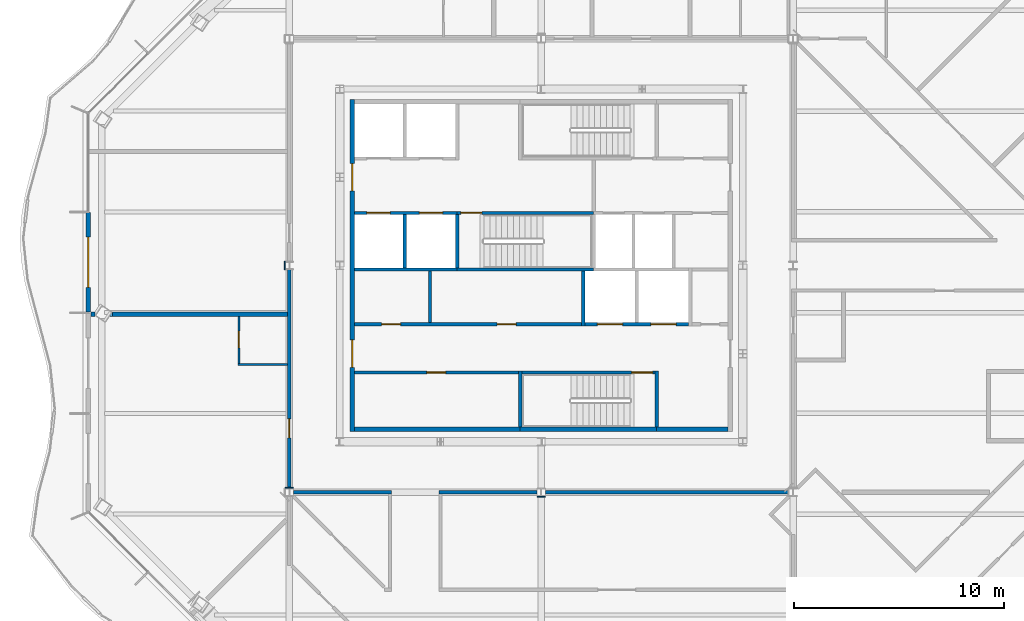
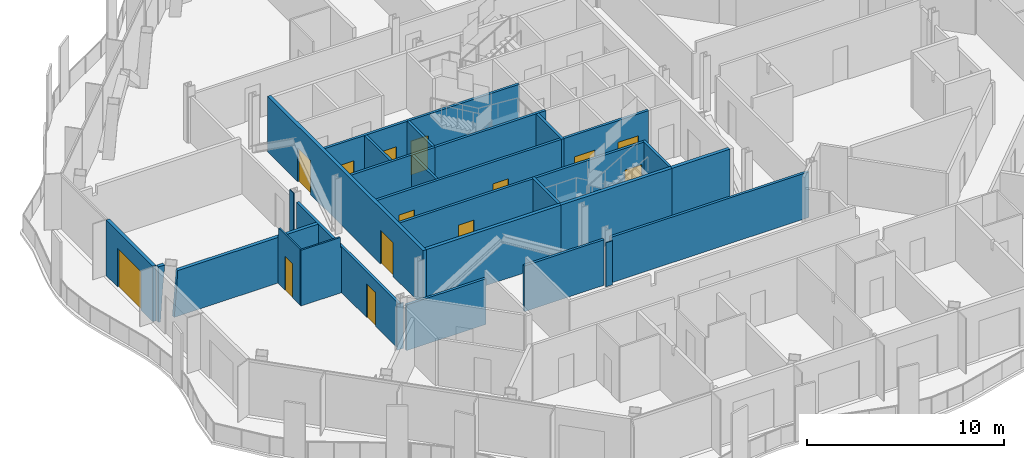
# One storey, part 8 of 19: 30 walls, 14 doors, 14 openings.
"""IFC4 building model written with IfcOpenShell, lengths in metres."""

from ifc_helpers import new_model, si_unit, direction, frame, frame_2d, origin, place, context, subcontext, project, spatial, polyline, rectangle, outline, extrude, material, layer, layer_set, type_object, element, fill, save


model = new_model("IFC4")

# Units and contexts
model_context = context("Model", 3, precision=1e-05, world=origin(), true_north=direction((0.0, 1.0)))
body_context = subcontext(model_context, "Body", "Model", "MODEL_VIEW")
ifc_project = project(units=[si_unit("LENGTHUNIT", "METRE"), si_unit("AREAUNIT", "SQUARE_METRE"), si_unit("VOLUMEUNIT", "CUBIC_METRE"), si_unit("PLANEANGLEUNIT", "RADIAN"), si_unit("MASSUNIT", "GRAM", prefix="KILO")], contexts=[model_context])

# Site, building, storey
site_placement = place(None, origin())
site = spatial("IfcSite", under=ifc_project, at=site_placement, CompositionType="ELEMENT")
building_placement = place(site_placement, origin())
building = spatial("IfcBuilding", under=site, at=building_placement, Name="Cairn Pilgrim Tower", CompositionType="ELEMENT")
storey_placement = place(building_placement, frame((0.0, 0.0, 197.39990234375)))
storey = spatial("IfcBuildingStorey", under=building, at=storey_placement, Name="L50", CompositionType="ELEMENT", Elevation=197.39990234375)

# Wall, opening, door
ifc_material_1 = material(Name="Bronze anodised aluminium insulated sandwich panel with mineral wool fill", Category="aluminium")
ifc_layer_1 = layer(ifc_material_1, 0.199951171875)
ifc_layer_set_1 = layer_set([ifc_layer_1], Name="BRONZE INFILL FRAME WALL 200")
wall_type_1 = type_object("IfcWallType", Name="BRONZE INFILL FRAME WALL 200", PredefinedType="NOTDEFINED", material=ifc_layer_set_1)
wall_1_placement = place(storey_placement, frame((-14.375, 4.919921875, 0.0), z_axis=(0.0, 0.0, 1.0), x_axis=(0.0, -1.0, 0.0)))
wall_1 = element("IfcWall", 1, at=wall_1_placement, inside=storey, type_object=wall_type_1, Name="Bronze infill frame wall IW-W2", PredefinedType="NOTDEFINED", context=body_context, shape_type="SweptSolid", body=[
    extrude(rectangle(XDim=4.739990234375, YDim=0.199951171875, at=frame_2d((2.3701171875, 0.0))), origin(), (0.0, 0.0, 1.0), 3.4501953125),
])
opening_1_placement = place(wall_1_placement, frame((1.170166015625, 0.0, 0.0)))
opening_1 = element("IfcOpeningElement", 2, at=opening_1_placement, cuts=wall_1, Name="Opening 5012B", PredefinedType="OPENING", context=body_context, shape_type="SweptSolid", body=[
    extrude(rectangle(XDim=2.39990234375, YDim=2.39990234375, at=frame_2d((1.199951171875, 1.199951171875))), frame((0.0, 0.10986328125, 0.0), z_axis=(0.0, -1.0, 0.0), x_axis=(1.0, 0.0, 0.0)), (0.0, 0.0, 1.0), 0.219970703125),
])
ifc_material_2 = material(Name="Bronze anodised aluminium frame with tinted low-E glass", Category="aluminium")
door_type_1 = type_object("IfcDoorType", Name="BALCONY SLIDING DOOR 2400x2400", OperationType="DOUBLE_DOOR_SLIDING", PredefinedType="DOOR", material=ifc_material_2)
door_1_placement = place(opening_1_placement, origin())
door_1 = element("IfcDoor", 3, at=door_1_placement, inside=storey, type_object=door_type_1, Name="Balcony sliding door 5012B", OperationType="SINGLE_SWING_LEFT", OverallHeight=2.39990234375, OverallWidth=2.39990234375, PredefinedType="DOOR", context=body_context, shape_type="SweptSolid", body=[
    extrude(rectangle(XDim=2.39990234375, YDim=2.39990234375, at=frame_2d((1.199951171875, 1.199951171875))), frame((0.0, 0.02490234375, 0.0), z_axis=(0.0, -1.0, 0.0), x_axis=(1.0, 0.0, 0.0)), (0.0, 0.0, 1.0), 0.050048828125),
])
fill(opening_1, door_1)

# Walls
ifc_material_3 = material(Name="Concrete C32/40", Category="concrete")
ifc_layer_2 = layer(ifc_material_3, 0.199951171875)
ifc_layer_set_2 = layer_set([ifc_layer_2], Name="CORE OUTER WALL 200 EI 120")
wall_type_2 = type_object("IfcWallType", Name="CORE OUTER WALL 200 EI 120", PredefinedType="SOLIDWALL", material=ifc_layer_set_2)
wall_2_placement = place(storey_placement, frame((-1.699951171875, -5.39990234375, 0.0), z_axis=(0.0, 0.0, 1.0), x_axis=(1.0, 0.0, 0.0)))
element("IfcWall", 4, at=wall_2_placement, inside=storey, type_object=wall_type_2, Name="CW:L50:H01-1", PredefinedType="SOLIDWALL", context=body_context, shape_type="SweptSolid", body=[
    extrude(rectangle(XDim=7.89990234375, YDim=0.199951171875, at=frame_2d((3.949951171875, 0.0))), origin(), (0.0, 0.0, 1.0), 3.4501953125),
])
wall_3_placement = place(storey_placement, frame((12.699951171875, -5.39990234375, 0.0), z_axis=(0.0, 0.0, 1.0), x_axis=(1.0, 0.0, 0.0)))
element("IfcWall", 5, at=wall_3_placement, inside=storey, type_object=wall_type_2, Name="CW:L50:H01-3", PredefinedType="SOLIDWALL", context=body_context, shape_type="SweptSolid", body=[
    extrude(rectangle(XDim=3.400146484375, YDim=0.199951171875, at=frame_2d((1.7001953125, 0.0))), origin(), (0.0, 0.0, 1.0), 3.4501953125),
])

# Wall, openings, doors
wall_4_placement = place(storey_placement, frame((-1.800048828125, -5.5, 0.0), z_axis=(0.0, 0.0, 1.0), x_axis=(0.0, 1.0, 0.0)))
wall_4 = element("IfcWall", 6, at=wall_4_placement, inside=storey, type_object=wall_type_2, Name="CW:L50:V13", PredefinedType="SOLIDWALL", context=body_context, shape_type="SweptSolid", body=[
    extrude(rectangle(XDim=15.800048828125, YDim=0.199951171875, at=frame_2d((7.89990234375, 0.0))), origin(), (0.0, 0.0, 1.0), 3.4501953125),
])
opening_2_placement = place(wall_4_placement, frame((3.050048828125, 0.0, 0.0)))
opening_2 = element("IfcOpeningElement", 7, at=opening_2_placement, cuts=wall_4, Name="Opening CD-W1", PredefinedType="OPENING", context=body_context, shape_type="SweptSolid", body=[
    extrude(rectangle(XDim=1.300048828125, YDim=2.10009765625, at=frame_2d((0.64990234375, 1.050048828125))), frame((0.0, 0.10986328125, 0.0), z_axis=(0.0, -1.0, 0.0), x_axis=(1.0, 0.0, 0.0)), (0.0, 0.0, 1.0), 0.219970703125),
])
opening_3_placement = place(wall_4_placement, frame((11.449951171875, 0.0, 0.0)))
opening_3 = element("IfcOpeningElement", 8, at=opening_3_placement, cuts=wall_4, Name="Opening CD-W2", PredefinedType="OPENING", context=body_context, shape_type="SweptSolid", body=[
    extrude(rectangle(XDim=1.300048828125, YDim=2.10009765625, at=frame_2d((0.64990234375, 1.050048828125))), frame((0.0, 0.10986328125, 0.0), z_axis=(0.0, -1.0, 0.0), x_axis=(1.0, 0.0, 0.0)), (0.0, 0.0, 1.0), 0.219970703125),
])
ifc_material_4 = material(Name="Painted steel", Category="steel")
door_type_2 = type_object("IfcDoorType", Name="CORE LOBBY DOOR 1300x2100", OperationType="DOUBLE_DOOR_SINGLE_SWING", PredefinedType="DOOR", material=ifc_material_4)
door_2_placement = place(opening_2_placement, origin())
door_2 = element("IfcDoor", 9, at=door_2_placement, inside=storey, type_object=door_type_2, Name="CD-W1", OperationType="DOUBLE_DOOR_SINGLE_SWING", OverallHeight=2.10009765625, OverallWidth=1.300048828125, PredefinedType="DOOR", context=body_context, shape_type="SweptSolid", body=[
    extrude(rectangle(XDim=1.300048828125, YDim=2.10009765625, at=frame_2d((0.64990234375, 1.050048828125))), frame((0.0, 0.02490234375, 0.0), z_axis=(0.0, -1.0, 0.0), x_axis=(1.0, 0.0, 0.0)), (0.0, 0.0, 1.0), 0.050048828125),
])
fill(opening_2, door_2)
door_3_placement = place(opening_3_placement, origin())
door_3 = element("IfcDoor", 10, at=door_3_placement, inside=storey, type_object=door_type_2, Name="CD-W2", OperationType="DOUBLE_DOOR_SINGLE_SWING", OverallHeight=2.10009765625, OverallWidth=1.300048828125, PredefinedType="DOOR", context=body_context, shape_type="SweptSolid", body=[
    extrude(rectangle(XDim=1.300048828125, YDim=2.10009765625, at=frame_2d((0.64990234375, 1.050048828125))), frame((0.0, 0.02490234375, 0.0), z_axis=(0.0, -1.0, 0.0), x_axis=(1.0, 0.0, 0.0)), (0.0, 0.0, 1.0), 0.050048828125),
])
fill(opening_3, door_3)

# Wall, opening, door
ifc_layer_3 = layer(ifc_material_3, 0.14990234375)
ifc_layer_set_3 = layer_set([ifc_layer_3], Name="CORE PARTITION 150 EI 60")
wall_type_3 = type_object("IfcWallType", Name="CORE PARTITION 150 EI 60", PredefinedType="PARTITIONING", material=ifc_layer_set_3)
wall_5_placement = place(storey_placement, frame((-1.699951171875, -2.699951171875, 0.0), z_axis=(0.0, 0.0, 1.0), x_axis=(1.0, 0.0, 0.0)))
wall_5 = element("IfcWall", 11, at=wall_5_placement, inside=storey, type_object=wall_type_3, Name="CW:L50:H02", PredefinedType="PARTITIONING", context=body_context, shape_type="SweptSolid", body=[
    extrude(rectangle(XDim=7.824951171875, YDim=0.14990234375, at=frame_2d((3.91259765625, 0.0))), origin(), (0.0, 0.0, 1.0), 3.4501953125),
])
opening_4_placement = place(wall_5_placement, frame((3.449951171875, 0.0, 0.0)))
opening_4 = element("IfcOpeningElement", 12, at=opening_4_placement, cuts=wall_5, Name="Opening RD-R1W1", PredefinedType="OPENING", context=body_context, shape_type="SweptSolid", body=[
    extrude(rectangle(XDim=0.89990234375, YDim=2.10009765625, at=frame_2d((0.449951171875, 1.050048828125))), frame((0.0, 0.0849609375, 0.0), z_axis=(0.0, -1.0, 0.0), x_axis=(1.0, 0.0, 0.0)), (0.0, 0.0, 1.0), 0.169921875),
])
door_type_3 = type_object("IfcDoorType", Name="SERVICE ROOM DOOR 900x2100", OperationType="SINGLE_SWING_LEFT", PredefinedType="DOOR", material=ifc_material_4)
door_4_placement = place(opening_4_placement, origin())
door_4 = element("IfcDoor", 13, at=door_4_placement, inside=storey, type_object=door_type_3, Name="RD-R1W1", OperationType="SINGLE_SWING_LEFT", OverallHeight=2.10009765625, OverallWidth=0.89990234375, PredefinedType="DOOR", context=body_context, shape_type="SweptSolid", body=[
    extrude(rectangle(XDim=0.89990234375, YDim=2.10009765625, at=frame_2d((0.449951171875, 1.050048828125))), frame((0.0, 0.02490234375, 0.0), z_axis=(0.0, -1.0, 0.0), x_axis=(1.0, 0.0, 0.0)), (0.0, 0.0, 1.0), 0.050048828125),
])
fill(opening_4, door_4)

# Wall, openings, doors
wall_6_placement = place(storey_placement, frame((-1.699951171875, -0.39990234375, 0.0), z_axis=(0.0, 0.0, 1.0), x_axis=(1.0, 0.0, 0.0)))
wall_6 = element("IfcWall", 14, at=wall_6_placement, inside=storey, type_object=wall_type_3, Name="CW:L50:H04", PredefinedType="PARTITIONING", context=body_context, shape_type="SweptSolid", body=[
    extrude(rectangle(XDim=10.824951171875, YDim=0.14990234375, at=frame_2d((5.41259765625, 0.0))), origin(), (0.0, 0.0, 1.0), 3.4501953125),
])
opening_5_placement = place(wall_6_placement, frame((1.300048828125, 0.0, 0.0)))
opening_5 = element("IfcOpeningElement", 15, at=opening_5_placement, cuts=wall_6, Name="Opening RD-R2W1", PredefinedType="OPENING", context=body_context, shape_type="SweptSolid", body=[
    extrude(rectangle(XDim=0.89990234375, YDim=2.10009765625, at=frame_2d((0.449951171875, 1.050048828125))), frame((0.0, 0.0849609375, 0.0), z_axis=(0.0, -1.0, 0.0), x_axis=(1.0, 0.0, 0.0)), (0.0, 0.0, 1.0), 0.169921875),
])
opening_6_placement = place(wall_6_placement, frame((6.800048828125, 0.0, 0.0)))
opening_6 = element("IfcOpeningElement", 16, at=opening_6_placement, cuts=wall_6, Name="Opening RD-R2W2", PredefinedType="OPENING", context=body_context, shape_type="SweptSolid", body=[
    extrude(rectangle(XDim=0.89990234375, YDim=2.10009765625, at=frame_2d((0.449951171875, 1.050048828125))), frame((0.0, 0.0849609375, 0.0), z_axis=(0.0, -1.0, 0.0), x_axis=(1.0, 0.0, 0.0)), (0.0, 0.0, 1.0), 0.169921875),
])
door_5_placement = place(opening_5_placement, origin())
door_5 = element("IfcDoor", 17, at=door_5_placement, inside=storey, type_object=door_type_3, Name="RD-R2W1", OperationType="SINGLE_SWING_RIGHT", OverallHeight=2.10009765625, OverallWidth=0.89990234375, PredefinedType="DOOR", context=body_context, shape_type="SweptSolid", body=[
    extrude(rectangle(XDim=0.89990234375, YDim=2.10009765625, at=frame_2d((0.449951171875, 1.050048828125))), frame((0.0, 0.02490234375, 0.0), z_axis=(0.0, -1.0, 0.0), x_axis=(1.0, 0.0, 0.0)), (0.0, 0.0, 1.0), 0.050048828125),
])
fill(opening_5, door_5)
door_6_placement = place(opening_6_placement, origin())
door_6 = element("IfcDoor", 18, at=door_6_placement, inside=storey, type_object=door_type_3, Name="RD-R2W2", OperationType="SINGLE_SWING_LEFT", OverallHeight=2.10009765625, OverallWidth=0.89990234375, PredefinedType="DOOR", context=body_context, shape_type="SweptSolid", body=[
    extrude(rectangle(XDim=0.89990234375, YDim=2.10009765625, at=frame_2d((0.449951171875, 1.050048828125))), frame((0.0, 0.02490234375, 0.0), z_axis=(0.0, -1.0, 0.0), x_axis=(1.0, 0.0, 0.0)), (0.0, 0.0, 1.0), 0.050048828125),
])
fill(opening_6, door_6)

# Wall
wall_7_placement = place(storey_placement, frame((1.89990234375, -0.324951171875, 0.0), z_axis=(0.0, 0.0, 1.0), x_axis=(0.0, 1.0, 0.0)))
element("IfcWall", 19, at=wall_7_placement, inside=storey, type_object=wall_type_3, Name="CW:L50:V16", PredefinedType="PARTITIONING", context=body_context, shape_type="SweptSolid", body=[
    extrude(rectangle(XDim=2.449951171875, YDim=0.14990234375, at=frame_2d((1.22509765625, 0.0))), origin(), (0.0, 0.0, 1.0), 3.4501953125),
])

# Wall, openings, doors
ifc_layer_4 = layer(ifc_material_3, 0.14990234375)
ifc_layer_set_4 = layer_set([ifc_layer_4], Name="CORE SHAFT WALL 150 EI 120")
wall_type_4 = type_object("IfcWallType", Name="CORE SHAFT WALL 150 EI 120", PredefinedType="SOLIDWALL", material=ifc_layer_set_4)
wall_8_placement = place(storey_placement, frame((9.27490234375, -0.39990234375, 0.0), z_axis=(0.0, 0.0, 1.0), x_axis=(1.0, 0.0, 0.0)))
wall_8 = element("IfcWall", 20, at=wall_8_placement, inside=storey, type_object=wall_type_4, Name="CW:L50:H05", PredefinedType="SOLIDWALL", context=body_context, shape_type="SweptSolid", body=[
    extrude(rectangle(XDim=4.9501953125, YDim=0.14990234375, at=frame_2d((2.47509765625, 0.0))), origin(), (0.0, 0.0, 1.0), 3.4501953125),
])
opening_7_placement = place(wall_8_placement, frame((0.60009765625, 0.0, 0.0)))
opening_7 = element("IfcOpeningElement", 21, at=opening_7_placement, cuts=wall_8, Name="Opening LD-SV1", PredefinedType="OPENING", context=body_context, shape_type="SweptSolid", body=[
    extrude(rectangle(XDim=1.199951171875, YDim=2.10009765625, at=frame_2d((0.60009765625, 1.050048828125))), frame((0.0, 0.0849609375, 0.0), z_axis=(0.0, -1.0, 0.0), x_axis=(1.0, 0.0, 0.0)), (0.0, 0.0, 1.0), 0.169921875),
])
opening_8_placement = place(wall_8_placement, frame((3.14990234375, 0.0, 0.0)))
opening_8 = element("IfcOpeningElement", 22, at=opening_8_placement, cuts=wall_8, Name="Opening LD-SV2", PredefinedType="OPENING", context=body_context, shape_type="SweptSolid", body=[
    extrude(rectangle(XDim=1.199951171875, YDim=2.10009765625, at=frame_2d((0.60009765625, 1.050048828125))), frame((0.0, 0.0849609375, 0.0), z_axis=(0.0, -1.0, 0.0), x_axis=(1.0, 0.0, 0.0)), (0.0, 0.0, 1.0), 0.169921875),
])
ifc_material_5 = material(Name="Stainless steel", Category="steel")
door_type_4 = type_object("IfcDoorType", Name="LIFT LANDING DOOR 1200x2100", OperationType="DOUBLE_DOOR_SLIDING", PredefinedType="DOOR", material=ifc_material_5)
door_7_placement = place(opening_7_placement, origin())
door_7 = element("IfcDoor", 23, at=door_7_placement, inside=storey, type_object=door_type_4, Name="LANDING DOOR SV1", OperationType="DOUBLE_DOOR_SLIDING", OverallHeight=2.10009765625, OverallWidth=1.199951171875, PredefinedType="DOOR", context=body_context, shape_type="SweptSolid", body=[
    extrude(rectangle(XDim=1.199951171875, YDim=2.10009765625, at=frame_2d((0.60009765625, 1.050048828125))), frame((0.0, 0.02490234375, 0.0), z_axis=(0.0, -1.0, 0.0), x_axis=(1.0, 0.0, 0.0)), (0.0, 0.0, 1.0), 0.050048828125),
])
fill(opening_7, door_7)
door_8_placement = place(opening_8_placement, origin())
door_8 = element("IfcDoor", 24, at=door_8_placement, inside=storey, type_object=door_type_4, Name="LANDING DOOR SV2", OperationType="DOUBLE_DOOR_SLIDING", OverallHeight=2.10009765625, OverallWidth=1.199951171875, PredefinedType="DOOR", context=body_context, shape_type="SweptSolid", body=[
    extrude(rectangle(XDim=1.199951171875, YDim=2.10009765625, at=frame_2d((0.60009765625, 1.050048828125))), frame((0.0, 0.02490234375, 0.0), z_axis=(0.0, -1.0, 0.0), x_axis=(1.0, 0.0, 0.0)), (0.0, 0.0, 1.0), 0.050048828125),
])
fill(opening_8, door_8)

# Wall
wall_9_placement = place(storey_placement, frame((-1.699951171875, 2.199951171875, 0.0), z_axis=(0.0, 0.0, 1.0), x_axis=(1.0, 0.0, 0.0)))
element("IfcWall", 25, at=wall_9_placement, inside=storey, type_object=wall_type_4, Name="CW:L50:H07-1", PredefinedType="SOLIDWALL", context=body_context, shape_type="SweptSolid", body=[
    extrude(rectangle(XDim=4.89990234375, YDim=0.14990234375, at=frame_2d((2.449951171875, 0.0))), origin(), (0.0, 0.0, 1.0), 3.4501953125),
])

# Wall, openings, doors
wall_10_placement = place(storey_placement, frame((-1.699951171875, 4.89990234375, 0.0), z_axis=(0.0, 0.0, 1.0), x_axis=(1.0, 0.0, 0.0)))
wall_10 = element("IfcWall", 26, at=wall_10_placement, inside=storey, type_object=wall_type_4, Name="CW:L50:H09-1", PredefinedType="SOLIDWALL", context=body_context, shape_type="SweptSolid", body=[
    extrude(rectangle(XDim=4.89990234375, YDim=0.14990234375, at=frame_2d((2.449951171875, 0.0))), origin(), (0.0, 0.0, 1.0), 3.4501953125),
])
opening_9_placement = place(wall_10_placement, frame((0.60009765625, 0.0, 0.0)))
opening_9 = element("IfcOpeningElement", 27, at=opening_9_placement, cuts=wall_10, Name="Opening LD-HR1", PredefinedType="OPENING", context=body_context, shape_type="SweptSolid", body=[
    extrude(rectangle(XDim=1.10009765625, YDim=2.10009765625, at=frame_2d((0.550048828125, 1.050048828125))), frame((0.0, 0.0849609375, 0.0), z_axis=(0.0, -1.0, 0.0), x_axis=(1.0, 0.0, 0.0)), (0.0, 0.0, 1.0), 0.169921875),
])
opening_10_placement = place(wall_10_placement, frame((3.10009765625, 0.0, 0.0)))
opening_10 = element("IfcOpeningElement", 28, at=opening_10_placement, cuts=wall_10, Name="Opening LD-HR2", PredefinedType="OPENING", context=body_context, shape_type="SweptSolid", body=[
    extrude(rectangle(XDim=1.10009765625, YDim=2.10009765625, at=frame_2d((0.550048828125, 1.050048828125))), frame((0.0, 0.0849609375, 0.0), z_axis=(0.0, -1.0, 0.0), x_axis=(1.0, 0.0, 0.0)), (0.0, 0.0, 1.0), 0.169921875),
])
door_type_5 = type_object("IfcDoorType", Name="LIFT LANDING DOOR 1100x2100", OperationType="DOUBLE_DOOR_SLIDING", PredefinedType="DOOR", material=ifc_material_5)
door_9_placement = place(opening_9_placement, origin())
door_9 = element("IfcDoor", 29, at=door_9_placement, inside=storey, type_object=door_type_5, Name="LANDING DOOR HR1", OperationType="DOUBLE_DOOR_SLIDING", OverallHeight=2.10009765625, OverallWidth=1.10009765625, PredefinedType="DOOR", context=body_context, shape_type="SweptSolid", body=[
    extrude(rectangle(XDim=1.10009765625, YDim=2.10009765625, at=frame_2d((0.550048828125, 1.050048828125))), frame((0.0, 0.02490234375, 0.0), z_axis=(0.0, -1.0, 0.0), x_axis=(1.0, 0.0, 0.0)), (0.0, 0.0, 1.0), 0.050048828125),
])
fill(opening_9, door_9)
door_10_placement = place(opening_10_placement, origin())
door_10 = element("IfcDoor", 30, at=door_10_placement, inside=storey, type_object=door_type_5, Name="LANDING DOOR HR2", OperationType="DOUBLE_DOOR_SLIDING", OverallHeight=2.10009765625, OverallWidth=1.10009765625, PredefinedType="DOOR", context=body_context, shape_type="SweptSolid", body=[
    extrude(rectangle(XDim=1.10009765625, YDim=2.10009765625, at=frame_2d((0.550048828125, 1.050048828125))), frame((0.0, 0.02490234375, 0.0), z_axis=(0.0, -1.0, 0.0), x_axis=(1.0, 0.0, 0.0)), (0.0, 0.0, 1.0), 0.050048828125),
])
fill(opening_10, door_10)

# Walls
wall_11_placement = place(storey_placement, frame((0.699951171875, 2.27490234375, 0.0), z_axis=(0.0, 0.0, 1.0), x_axis=(0.0, 1.0, 0.0)))
element("IfcWall", 31, at=wall_11_placement, inside=storey, type_object=wall_type_4, Name="CW:L50:V14", PredefinedType="SOLIDWALL", context=body_context, shape_type="SweptSolid", body=[
    extrude(rectangle(XDim=2.550048828125, YDim=0.14990234375, at=frame_2d((1.27490234375, 0.0))), origin(), (0.0, 0.0, 1.0), 3.4501953125),
])
wall_12_placement = place(storey_placement, frame((9.199951171875, -0.47509765625, 0.0), z_axis=(0.0, 0.0, 1.0), x_axis=(0.0, 1.0, 0.0)))
element("IfcWall", 32, at=wall_12_placement, inside=storey, type_object=wall_type_4, Name="CW:L50:V21", PredefinedType="SOLIDWALL", context=body_context, shape_type="SweptSolid", body=[
    extrude(rectangle(XDim=2.60009765625, YDim=0.14990234375, at=frame_2d((1.300048828125, 0.0))), origin(), (0.0, 0.0, 1.0), 3.4501953125),
])
ifc_material_6 = material(Name="Gypsum partition")
ifc_layer_5 = layer(ifc_material_6, 0.10009765625)
ifc_layer_set_5 = layer_set([ifc_layer_5], Name="PARTITION 100 DRYWALL")
wall_type_5 = type_object("IfcWallType", Name="PARTITION 100 DRYWALL", PredefinedType="PARTITIONING", material=ifc_layer_set_5)
wall_13_placement = place(storey_placement, frame((-7.25, -2.324951171875, 0.0), z_axis=(0.0, 0.0, 1.0), x_axis=(1.0, 0.0, 0.0)))
element("IfcWall", 33, at=wall_13_placement, inside=storey, type_object=wall_type_5, Name="PARTITION W050", PredefinedType="PARTITIONING", context=body_context, shape_type="SweptSolid", body=[
    extrude(outline(polyline([(0.0, 0.0), (2.375, 0.0), (2.375, 2.830078125), (2.300048828125, 2.830078125), (2.298095703125, 3.4501953125), (0.0, 3.4501953125), (0.0, 0.0)])), frame((0.0, 0.050048828125, 0.0), z_axis=(0.0, -1.0, 0.0), x_axis=(1.0, 0.0, 0.0)), (0.0, 0.0, 1.0), 0.10009765625),
])

# Wall, opening, door
wall_14_placement = place(storey_placement, frame((-7.199951171875, -2.27490234375, 0.0), z_axis=(0.0, 0.0, 1.0), x_axis=(0.0, 1.0, 0.0)))
wall_14 = element("IfcWall", 34, at=wall_14_placement, inside=storey, type_object=wall_type_5, Name="PARTITION W051", PredefinedType="PARTITIONING", context=body_context, shape_type="SweptSolid", body=[
    extrude(outline(polyline([(0.0, 0.0), (2.25, 0.0), (2.25, 2.97998046875), (2.179931640625, 2.97998046875), (2.177978515625, 3.4501953125), (0.0, 3.4501953125), (0.0, 0.0)])), frame((0.0, 0.050048828125, 0.0), z_axis=(0.0, -1.0, 0.0), x_axis=(1.0, 0.0, 0.0)), (0.0, 0.0, 1.0), 0.10009765625),
])
opening_11_placement = place(wall_14_placement, frame((0.75, 0.0, 0.0)))
opening_11 = element("IfcOpeningElement", 35, at=opening_11_placement, cuts=wall_14, Name="Opening 5013A", PredefinedType="OPENING", context=body_context, shape_type="SweptSolid", body=[
    extrude(rectangle(XDim=0.800048828125, YDim=2.10009765625, at=frame_2d((0.39990234375, 1.050048828125))), frame((0.0, 0.06005859375, 0.0), z_axis=(0.0, -1.0, 0.0), x_axis=(1.0, 0.0, 0.0)), (0.0, 0.0, 1.0), 0.1201171875),
])
ifc_material_7 = material(Name="Timber door leaf", Category="wood")
door_type_6 = type_object("IfcDoorType", Name="WC DOOR 800x2100", OperationType="NOTDEFINED", PredefinedType="DOOR", material=ifc_material_7)
door_11_placement = place(opening_11_placement, origin())
door_11 = element("IfcDoor", 36, at=door_11_placement, inside=storey, type_object=door_type_6, Name="DOOR 5013A", OperationType="SINGLE_SWING_RIGHT", OverallHeight=2.10009765625, OverallWidth=0.800048828125, PredefinedType="DOOR", context=body_context, shape_type="SweptSolid", body=[
    extrude(rectangle(XDim=0.800048828125, YDim=2.10009765625, at=frame_2d((0.39990234375, 1.050048828125))), frame((0.0, 0.02490234375, 0.0), z_axis=(0.0, -1.0, 0.0), x_axis=(1.0, 0.0, 0.0)), (0.0, 0.0, 1.0), 0.050048828125),
])
fill(opening_11, door_11)

# Walls
ifc_layer_6 = layer(ifc_material_6, 0.14990234375)
ifc_layer_set_6 = layer_set([ifc_layer_6], Name="PARTITION 150 DRYWALL EI 60")
wall_type_6 = type_object("IfcWallType", Name="PARTITION 150 DRYWALL EI 60", PredefinedType="PARTITIONING", material=ifc_layer_set_6)
for number, where, z_axis, x_axis, name in (
    (37, (-4.6005859375, -8.39990234375, 0.0), (0.0, 0.0, 1.0), (1.0, 0.0, 0.0), "PARTITION W036"),
    (38, (2.324951171875, -8.39990234375, 0.0), (0.0, 0.0, 1.0), (1.0, 0.0, 0.0), "PARTITION W037"),
):
    element("IfcWall", number, at=place(storey_placement, frame(where, z_axis=z_axis, x_axis=x_axis)), inside=storey, type_object=wall_type_6, Name=name, PredefinedType="PARTITIONING", context=body_context, shape_type="SweptSolid", body=[
        extrude(rectangle(XDim=4.675537109375, YDim=0.14990234375, at=frame_2d((2.337890625, 0.0))), origin(), (0.0, 0.0, 1.0), 2.830078125),
    ])
wall_15_placement = place(storey_placement, frame((7.3994140625, -8.39990234375, 0.0), z_axis=(0.0, 0.0, 1.0), x_axis=(1.0, 0.0, 0.0)))
element("IfcWall", 39, at=wall_15_placement, inside=storey, type_object=wall_type_6, Name="PARTITION W038", PredefinedType="PARTITIONING", context=body_context, shape_type="SweptSolid", body=[
    extrude(rectangle(XDim=11.60107421875, YDim=0.14990234375, at=frame_2d((5.800537109375, 0.0))), origin(), (0.0, 0.0, 1.0), 2.830078125),
])

# Wall, opening, door
wall_16_placement = place(storey_placement, frame((-4.800048828125, -8.20361328125, 0.0), z_axis=(0.0, 0.0, 1.0), x_axis=(0.0, 1.0, 0.0)))
wall_16 = element("IfcWall", 40, at=wall_16_placement, inside=storey, type_object=wall_type_6, Name="PARTITION W042", PredefinedType="PARTITIONING", context=body_context, shape_type="SweptSolid", body=[
    extrude(rectangle(XDim=10.4072265625, YDim=0.14990234375, at=frame_2d((5.20361328125, 0.0))), origin(), (0.0, 0.0, 1.0), 2.830078125),
])
opening_12_placement = place(wall_16_placement, frame((2.390380859375, 0.0, 0.0)))
opening_12 = element("IfcOpeningElement", 41, at=opening_12_placement, cuts=wall_16, Name="Opening 5013", PredefinedType="OPENING", context=body_context, shape_type="SweptSolid", body=[
    extrude(rectangle(XDim=0.89990234375, YDim=2.10009765625, at=frame_2d((0.449951171875, 1.050048828125))), frame((0.0, 0.0849609375, 0.0), z_axis=(0.0, -1.0, 0.0), x_axis=(1.0, 0.0, 0.0)), (0.0, 0.0, 1.0), 0.169921875),
])
door_type_7 = type_object("IfcDoorType", Name="ROOM DOOR 900x2100 FD30S", OperationType="NOTDEFINED", PredefinedType="DOOR", material=ifc_material_7)
door_12_placement = place(opening_12_placement, origin())
door_12 = element("IfcDoor", 42, at=door_12_placement, inside=storey, type_object=door_type_7, Name="DOOR 5013", OperationType="SINGLE_SWING_RIGHT", OverallHeight=2.10009765625, OverallWidth=0.89990234375, PredefinedType="DOOR", context=body_context, shape_type="SweptSolid", body=[
    extrude(rectangle(XDim=0.89990234375, YDim=2.10009765625, at=frame_2d((0.449951171875, 1.050048828125))), frame((0.0, 0.02490234375, 0.0), z_axis=(0.0, -1.0, 0.0), x_axis=(1.0, 0.0, 0.0)), (0.0, 0.0, 1.0), 0.050048828125),
])
fill(opening_12, door_12)

# Walls
ifc_layer_7 = layer(ifc_material_6, 0.050048828125)
ifc_layer_set_7 = layer_set([ifc_layer_7], Name="PARTITION 50 DRYWALL EI 60")
wall_type_7 = type_object("IfcWallType", Name="PARTITION 50 DRYWALL EI 60", PredefinedType="PARTITIONING", material=ifc_layer_set_7)
wall_17_placement = place(storey_placement, frame((-5.0244140625, 2.20361328125, 0.0), z_axis=(0.0, 0.0, 1.0), x_axis=(0.0, 1.0, 0.0)))
element("IfcWall", 43, at=wall_17_placement, inside=storey, type_object=wall_type_7, Name="COLUMN CASING WC08", PredefinedType="PARTITIONING", context=body_context, shape_type="SweptSolid", body=[
    extrude(rectangle(XDim=0.392822265625, YDim=0.050048828125, at=frame_2d((0.1962890625, 0.0))), origin(), (0.0, 0.0, 1.0), 3.4501953125),
])
wall_18_placement = place(storey_placement, frame((-4.99951171875, -8.178466796875, 0.0), z_axis=(0.0, 0.0, 1.0), x_axis=(1.0, 0.0, 0.0)))
element("IfcWall", 44, at=wall_18_placement, inside=storey, type_object=wall_type_7, Name="COLUMN CASING WC11", PredefinedType="PARTITIONING", context=body_context, shape_type="SweptSolid", body=[
    extrude(rectangle(XDim=0.39892578125, YDim=0.050048828125, at=frame_2d((0.199462890625, 0.0))), origin(), (0.0, 0.0, 1.0), 2.830078125),
])
wall_19_placement = place(storey_placement, frame((7.00048828125, -8.62158203125, 0.0), z_axis=(0.0, 0.0, 1.0), x_axis=(1.0, 0.0, 0.0)))
element("IfcWall", 45, at=wall_19_placement, inside=storey, type_object=wall_type_7, Name="COLUMN CASING WC12", PredefinedType="PARTITIONING", context=body_context, shape_type="SweptSolid", body=[
    extrude(rectangle(XDim=0.39892578125, YDim=0.050048828125, at=frame_2d((0.199462890625, 0.0))), origin(), (0.0, 0.0, 1.0), 2.72998046875),
])
ifc_layer_8 = layer(ifc_material_6, 0.199951171875)
ifc_layer_set_8 = layer_set([ifc_layer_8], Name="SHAFT WALL 200 GYPSUM EI 60")
wall_type_8 = type_object("IfcWallType", Name="SHAFT WALL 200 GYPSUM EI 60", PredefinedType="PARTITIONING", material=ifc_layer_set_8)
wall_20_placement = place(storey_placement, frame((-14.2451171875, 0.074951171875, 0.0), z_axis=(0.0, 0.0, 1.0), x_axis=(1.0, 0.0, 0.0)))
element("IfcWall", 46, at=wall_20_placement, inside=storey, type_object=wall_type_8, Name="PARTITION W056", PredefinedType="PARTITIONING", context=body_context, shape_type="SweptSolid", body=[
    extrude(outline(polyline([(0.0, 0.0), (0.11279296875, 0.0), (0.16650390625, 0.862548828125), (0.220458984375, 1.72509765625), (0.288818359375, 2.587646484375), (0.36669921875, 3.4501953125), (0.0, 3.4501953125), (0.0, 2.587646484375), (0.0, 1.72509765625), (0.0, 0.862548828125), (0.0, 0.0)])), frame((0.0, 0.10009765625, 0.0), z_axis=(0.0, -1.0, 0.0), x_axis=(1.0, 0.0, 0.0)), (0.0, 0.0, 1.0), 0.199951171875),
])
wall_21_placement = place(storey_placement, frame((-13.333251953125, 0.074951171875, 0.0), z_axis=(0.0, 0.0, 1.0), x_axis=(1.0, 0.0, 0.0)))
element("IfcWall", 47, at=wall_21_placement, inside=storey, type_object=wall_type_8, Name="PARTITION W057", PredefinedType="PARTITIONING", context=body_context, shape_type="SweptSolid", body=[
    extrude(outline(polyline([(0.0, 0.0), (8.458251953125, 0.0), (8.458251953125, 0.862548828125), (8.458251953125, 1.72509765625), (8.458251953125, 2.587646484375), (8.458251953125, 2.830078125), (0.211181640625, 2.830078125), (0.196044921875, 2.587646484375), (0.14208984375, 1.72509765625), (0.077880859375, 0.862548828125), (0.0, 0.0)])), frame((0.0, 0.10009765625, 0.0), z_axis=(0.0, -1.0, 0.0), x_axis=(1.0, 0.0, 0.0)), (0.0, 0.0, 1.0), 0.199951171875),
])

# Wall, opening, door
ifc_material_8 = material(Name="Concrete C35/45", Category="concrete")
ifc_layer_9 = layer(ifc_material_8, 0.14990234375)
ifc_layer_set_9 = layer_set([ifc_layer_9], Name="STAIR SHAFT WALL 150 EI 120")
wall_type_9 = type_object("IfcWallType", Name="STAIR SHAFT WALL 150 EI 120", PredefinedType="SOLIDWALL", material=ifc_layer_set_9)
wall_22_placement = place(storey_placement, frame((6.27490234375, -2.699951171875, 0.0), z_axis=(0.0, 0.0, 1.0), x_axis=(1.0, 0.0, 0.0)))
wall_22 = element("IfcWall", 48, at=wall_22_placement, inside=storey, type_object=wall_type_9, Name="CW:L50:H03", PredefinedType="SOLIDWALL", context=body_context, shape_type="SweptSolid", body=[
    extrude(rectangle(XDim=6.35009765625, YDim=0.14990234375, at=frame_2d((3.175048828125, 0.0))), origin(), (0.0, 0.0, 1.0), 3.4501953125),
])
opening_13_placement = place(wall_22_placement, frame((5.22509765625, 0.0, 0.0)))
opening_13 = element("IfcOpeningElement", 49, at=opening_13_placement, cuts=wall_22, Name="Opening SD-A", PredefinedType="OPENING", context=body_context, shape_type="SweptSolid", body=[
    extrude(rectangle(XDim=1.0, YDim=2.10009765625, at=frame_2d((0.5, 1.050048828125))), frame((0.0, 0.0849609375, 0.0), z_axis=(0.0, -1.0, 0.0), x_axis=(1.0, 0.0, 0.0)), (0.0, 0.0, 1.0), 0.169921875),
])
door_type_8 = type_object("IfcDoorType", Name="STAIR DOOR FD60S 1000x2100", OperationType="SINGLE_SWING_LEFT", PredefinedType="DOOR", material=ifc_material_4)
door_13_placement = place(opening_13_placement, origin())
door_13 = element("IfcDoor", 50, at=door_13_placement, inside=storey, type_object=door_type_8, Name="SD-A", OperationType="SINGLE_SWING_LEFT", OverallHeight=2.10009765625, OverallWidth=1.0, PredefinedType="DOOR", context=body_context, shape_type="SweptSolid", body=[
    extrude(rectangle(XDim=1.0, YDim=2.10009765625, at=frame_2d((0.5, 1.050048828125))), frame((0.0, 0.02490234375, 0.0), z_axis=(0.0, -1.0, 0.0), x_axis=(1.0, 0.0, 0.0)), (0.0, 0.0, 1.0), 0.050048828125),
])
fill(opening_13, door_13)

# Wall
wall_23_placement = place(storey_placement, frame((3.199951171875, 2.199951171875, 0.0), z_axis=(0.0, 0.0, 1.0), x_axis=(1.0, 0.0, 0.0)))
element("IfcWall", 51, at=wall_23_placement, inside=storey, type_object=wall_type_9, Name="CW:L50:H07-2", PredefinedType="SOLIDWALL", context=body_context, shape_type="SweptSolid", body=[
    extrude(rectangle(XDim=6.5, YDim=0.14990234375, at=frame_2d((3.25, 0.0))), origin(), (0.0, 0.0, 1.0), 3.4501953125),
])

# Wall, opening, door
wall_24_placement = place(storey_placement, frame((3.199951171875, 4.89990234375, 0.0), z_axis=(0.0, 0.0, 1.0), x_axis=(1.0, 0.0, 0.0)))
wall_24 = element("IfcWall", 52, at=wall_24_placement, inside=storey, type_object=wall_type_9, Name="CW:L50:H09-2", PredefinedType="SOLIDWALL", context=body_context, shape_type="SweptSolid", body=[
    extrude(rectangle(XDim=6.5, YDim=0.14990234375, at=frame_2d((3.25, 0.0))), origin(), (0.0, 0.0, 1.0), 3.4501953125),
])
opening_14_placement = place(wall_24_placement, frame((0.175048828125, 0.0, 0.0)))
opening_14 = element("IfcOpeningElement", 53, at=opening_14_placement, cuts=wall_24, Name="Opening SD-B", PredefinedType="OPENING", context=body_context, shape_type="SweptSolid", body=[
    extrude(rectangle(XDim=1.0, YDim=2.10009765625, at=frame_2d((0.5, 1.050048828125))), frame((0.0, 0.0849609375, 0.0), z_axis=(0.0, -1.0, 0.0), x_axis=(1.0, 0.0, 0.0)), (0.0, 0.0, 1.0), 0.169921875),
])
door_14_placement = place(opening_14_placement, origin())
door_14 = element("IfcDoor", 54, at=door_14_placement, inside=storey, type_object=door_type_8, Name="SD-B", OperationType="SINGLE_SWING_RIGHT", OverallHeight=2.10009765625, OverallWidth=1.0, PredefinedType="DOOR", context=body_context, shape_type="SweptSolid", body=[
    extrude(rectangle(XDim=1.0, YDim=2.10009765625, at=frame_2d((0.5, 1.050048828125))), frame((0.0, 0.02490234375, 0.0), z_axis=(0.0, -1.0, 0.0), x_axis=(1.0, 0.0, 0.0)), (0.0, 0.0, 1.0), 0.050048828125),
])
fill(opening_14, door_14)

# Walls
wall_25_placement = place(storey_placement, frame((3.199951171875, 2.27490234375, 0.0), z_axis=(0.0, 0.0, 1.0), x_axis=(0.0, 1.0, 0.0)))
element("IfcWall", 55, at=wall_25_placement, inside=storey, type_object=wall_type_9, Name="CW:L50:V17", PredefinedType="SOLIDWALL", context=body_context, shape_type="SweptSolid", body=[
    extrude(rectangle(XDim=2.550048828125, YDim=0.14990234375, at=frame_2d((1.27490234375, 0.0))), origin(), (0.0, 0.0, 1.0), 3.4501953125),
])
for number, where, z_axis, x_axis, name in (
    (56, (6.199951171875, -5.300048828125, 0.0), (0.0, 0.0, 1.0), (0.0, 1.0, 0.0), "CW:L50:V19"),
    (57, (12.699951171875, -5.300048828125, 0.0), (0.0, 0.0, 1.0), (0.0, 1.0, 0.0), "CW:L50:V26"),
):
    element("IfcWall", number, at=place(storey_placement, frame(where, z_axis=z_axis, x_axis=x_axis)), inside=storey, type_object=wall_type_9, Name=name, PredefinedType="SOLIDWALL", context=body_context, shape_type="SweptSolid", body=[
        extrude(rectangle(XDim=2.675048828125, YDim=0.14990234375, at=frame_2d((1.33740234375, 0.0))), origin(), (0.0, 0.0, 1.0), 3.4501953125),
    ])
ifc_layer_10 = layer(ifc_material_8, 0.199951171875)
ifc_layer_set_10 = layer_set([ifc_layer_10], Name="STAIR SHAFT WALL 200 EI 120")
wall_type_10 = type_object("IfcWallType", Name="STAIR SHAFT WALL 200 EI 120", PredefinedType="SOLIDWALL", material=ifc_layer_set_10)
wall_26_placement = place(storey_placement, frame((6.199951171875, -5.39990234375, 0.0), z_axis=(0.0, 0.0, 1.0), x_axis=(1.0, 0.0, 0.0)))
element("IfcWall", 58, at=wall_26_placement, inside=storey, type_object=wall_type_10, Name="CW:L50:H01-2", PredefinedType="SOLIDWALL", context=body_context, shape_type="SweptSolid", body=[
    extrude(rectangle(XDim=6.5, YDim=0.199951171875, at=frame_2d((3.25, 0.0))), origin(), (0.0, 0.0, 1.0), 3.4501953125),
])

save(model, "model.ifc")
